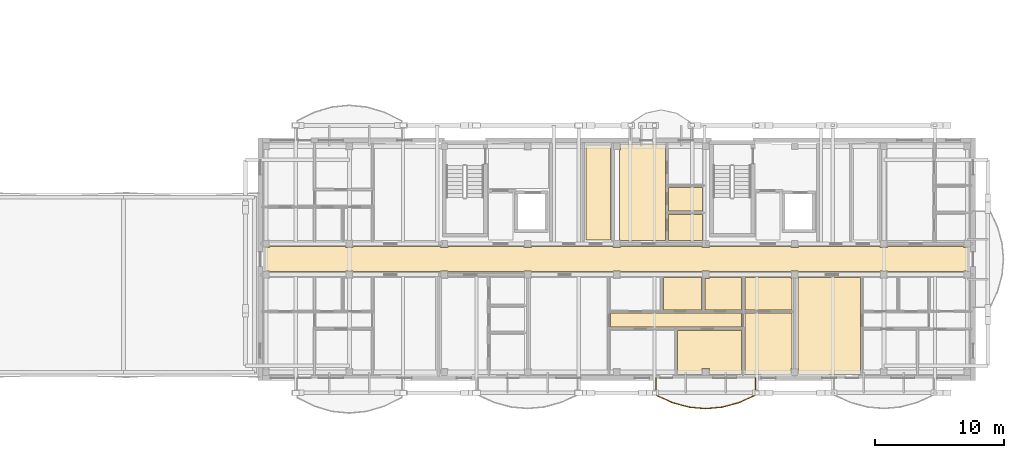
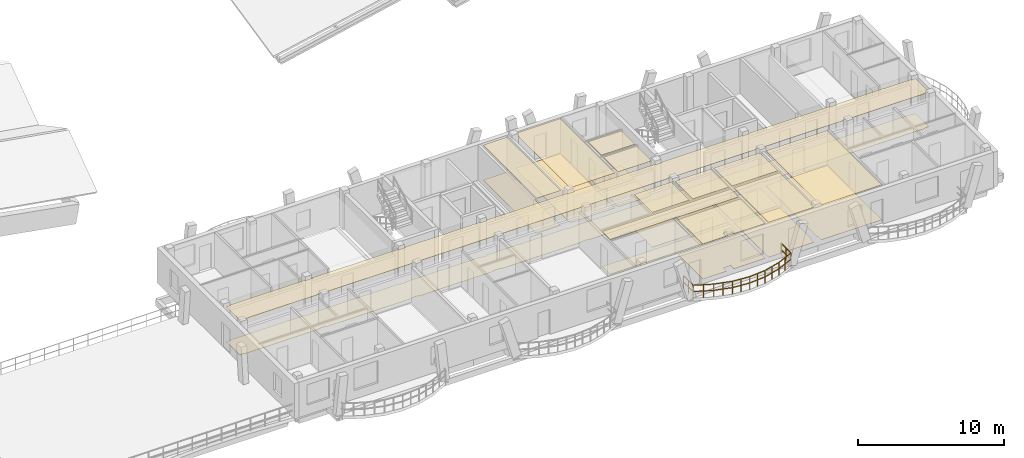
# One storey, part 102 of 109: 24 coverings, 1 railing.
"""IFC4 building model written with IfcOpenShell, lengths in metres."""

from ifc_helpers import new_model, si_unit, direction, frame, origin, origin_2d, place, context, subcontext, project, spatial, polyline, rectangle, outline, extrude, material, layer, layer_set, type_object, element, save


model = new_model("IFC4")

# Units and contexts
model_context = context("Model", 3, precision=1e-05, world=origin(), true_north=direction((0.0, 1.0)))
body_context = subcontext(model_context, "Body", "Model", "MODEL_VIEW")
ifc_project = project(units=[si_unit("LENGTHUNIT", "METRE"), si_unit("AREAUNIT", "SQUARE_METRE"), si_unit("VOLUMEUNIT", "CUBIC_METRE"), si_unit("PLANEANGLEUNIT", "RADIAN"), si_unit("MASSUNIT", "GRAM", prefix="KILO")], contexts=[model_context])

# Site, building, storey
site_placement = place(None, origin())
site = spatial("IfcSite", under=ifc_project, at=site_placement, CompositionType="ELEMENT")
building_placement = place(site_placement, origin())
building = spatial("IfcBuilding", under=site, at=building_placement, Name="Zavelmont Quarter", CompositionType="ELEMENT")
storey_placement = place(building_placement, frame((0.0, 0.0, 8.0)))
storey = spatial("IfcBuildingStorey", under=building, at=storey_placement, Name="L02", CompositionType="ELEMENT", Elevation=8.0)

# Coverings
ifc_material_1 = material(Name="Perforated acoustic gypsum board")
ifc_layer_1 = layer(ifc_material_1, 0.02490234375)
ifc_layer_set_1 = layer_set([ifc_layer_1], Name="Perforated acoustic gypsum board")
covering_type_1 = type_object("IfcCoveringType", Name="CV-CL01", PredefinedType="CEILING", material=ifc_layer_set_1)
covering_1_placement = place(storey_placement, frame((0.0, 0.0, 2.9150390625)))
element("IfcCovering", 1, at=covering_1_placement, inside=storey, type_object=covering_type_1, Name="L02 Cleaners Store acoustic ceiling", PredefinedType="CEILING", context=body_context, shape_type="SweptSolid", body=[
    extrude(outline(polyline([(138.030029296875, 18.02001953125), (139.919921875, 18.02001953125), (139.919921875, 10.679931640625), (138.030029296875, 10.679931640625), (138.030029296875, 18.02001953125)])), origin(), (0.0, 0.0, 1.0), 0.02490234375),
])
covering_2_placement = place(storey_placement, frame((0.0, 0.0, 2.9150390625)))
element("IfcCovering", 2, at=covering_2_placement, inside=storey, type_object=covering_type_1, Name="L02 Residential Corridor acoustic ceiling", PredefinedType="CEILING", context=body_context, shape_type="SweptSolid", body=[
    extrude(outline(polyline([(113.179931640625, 10.110107421875), (113.530029296875, 10.110107421875), (113.530029296875, 10.169921875), (119.409912109375, 10.169921875), (119.409912109375, 10.110107421875), (119.989990234375, 10.110107421875), (119.989990234375, 10.169921875), (126.75, 10.169921875), (126.75, 10.110107421875), (127.330078125, 10.110107421875), (127.330078125, 10.169921875), (133.2099609375, 10.169921875), (133.2099609375, 10.110107421875), (133.7900390625, 10.110107421875), (133.7900390625, 10.169921875), (140.110107421875, 10.169921875), (140.110107421875, 10.110107421875), (140.68994140625, 10.110107421875), (140.68994140625, 10.169921875), (147.010009765625, 10.169921875), (147.010009765625, 10.110107421875), (147.590087890625, 10.110107421875), (147.590087890625, 10.169921875), (153.909912109375, 10.169921875), (153.909912109375, 10.110107421875), (154.489990234375, 10.110107421875), (154.489990234375, 10.169921875), (160.81005859375, 10.169921875), (160.81005859375, 10.110107421875), (161.389892578125, 10.110107421875), (161.389892578125, 10.169921875), (167.27001953125, 10.169921875), (167.27001953125, 10.110107421875), (167.6201171875, 10.110107421875), (167.6201171875, 8.2900390625), (167.27001953125, 8.2900390625), (167.27001953125, 8.22998046875), (161.389892578125, 8.22998046875), (161.389892578125, 8.2900390625), (160.81005859375, 8.2900390625), (160.81005859375, 8.22998046875), (154.489990234375, 8.22998046875), (154.489990234375, 8.2900390625), (153.909912109375, 8.2900390625), (153.909912109375, 8.22998046875), (147.590087890625, 8.22998046875), (147.590087890625, 8.2900390625), (147.010009765625, 8.2900390625), (147.010009765625, 8.22998046875), (140.68994140625, 8.22998046875), (140.68994140625, 8.2900390625), (140.110107421875, 8.2900390625), (140.110107421875, 8.22998046875), (133.7900390625, 8.22998046875), (133.7900390625, 8.2900390625), (133.2099609375, 8.2900390625), (133.2099609375, 8.22998046875), (127.330078125, 8.22998046875), (127.330078125, 8.2900390625), (126.75, 8.2900390625), (126.75, 8.22998046875), (119.989990234375, 8.22998046875), (119.989990234375, 8.2900390625), (119.409912109375, 8.2900390625), (119.409912109375, 8.22998046875), (113.530029296875, 8.22998046875), (113.530029296875, 8.2900390625), (113.179931640625, 8.2900390625), (113.179931640625, 10.110107421875)])), origin(), (0.0, 0.0, 1.0), 0.02490234375),
])
covering_3_placement = place(storey_placement, frame((0.0, 0.0, 2.9150390625)))
element("IfcCovering", 3, at=covering_3_placement, inside=storey, type_object=covering_type_1, Name="L02 Utility Laundry acoustic ceiling", PredefinedType="CEILING", context=body_context, shape_type="SweptSolid", body=[
    extrude(outline(polyline([(147.22998046875, 7.7099609375), (147.590087890625, 7.7099609375), (147.590087890625, 7.77001953125), (150.070068359375, 7.77001953125), (150.070068359375, 5.280029296875), (147.22998046875, 5.280029296875), (147.22998046875, 7.7099609375)])), origin(), (0.0, 0.0, 1.0), 0.02490234375),
])
covering_4_placement = place(storey_placement, frame((0.0, 0.0, 2.9150390625)))
element("IfcCovering", 4, at=covering_4_placement, inside=storey, type_object=covering_type_1, Name="L02 Double Bedroom acoustic ceiling", PredefinedType="CEILING", context=body_context, shape_type="SweptSolid", body=[
    extrude(outline(polyline([(145.1298828125, 3.669921875), (150.070068359375, 3.669921875), (150.070068359375, 0.280029296875), (147.590087890625, 0.280029296875), (147.590087890625, 0.72998046875), (147.010009765625, 0.72998046875), (147.010009765625, 0.280029296875), (145.1298828125, 0.280029296875), (145.1298828125, 3.669921875)])), origin(), (0.0, 0.0, 1.0), 0.02490234375),
])
covering_5_placement = place(storey_placement, frame((0.0, 0.0, 2.9150390625)))
element("IfcCovering", 5, at=covering_5_placement, inside=storey, type_object=covering_type_1, Name="L02 Master Bedroom acoustic ceiling", PredefinedType="CEILING", context=body_context, shape_type="SweptSolid", body=[
    extrude(outline(polyline([(150.330078125, 5.02001953125), (153.969970703125, 5.02001953125), (153.969970703125, 0.72998046875), (153.909912109375, 0.72998046875), (153.909912109375, 0.280029296875), (150.330078125, 0.280029296875), (150.330078125, 5.02001953125)])), origin(), (0.0, 0.0, 1.0), 0.02490234375),
])
covering_6_placement = place(storey_placement, frame((0.0, 0.0, 2.9150390625)))
element("IfcCovering", 6, at=covering_6_placement, inside=storey, type_object=covering_type_1, Name="L02 Living Dining acoustic ceiling", PredefinedType="CEILING", context=body_context, shape_type="SweptSolid", body=[
    extrude(outline(polyline([(154.429931640625, 7.7099609375), (154.489990234375, 7.7099609375), (154.489990234375, 7.77001953125), (159.27001953125, 7.77001953125), (159.27001953125, 0.280029296875), (154.489990234375, 0.280029296875), (154.489990234375, 0.72998046875), (154.429931640625, 0.72998046875), (154.429931640625, 7.7099609375)])), origin(), (0.0, 0.0, 1.0), 0.02490234375),
])
covering_7_placement = place(storey_placement, frame((0.0, 0.0, 2.9150390625)))
element("IfcCovering", 7, at=covering_7_placement, inside=storey, type_object=covering_type_1, Name="L02 Living Dining acoustic ceiling", PredefinedType="CEILING", context=body_context, shape_type="SweptSolid", body=[
    extrude(outline(polyline([(140.6298828125, 17.669921875), (140.68994140625, 17.669921875), (140.68994140625, 18.1201171875), (144.169921875, 18.1201171875), (144.169921875, 10.6298828125), (140.68994140625, 10.6298828125), (140.68994140625, 10.68994140625), (140.6298828125, 10.68994140625), (140.6298828125, 17.669921875)])), origin(), (0.0, 0.0, 1.0), 0.02490234375),
])
covering_8_placement = place(storey_placement, frame((0.0, 0.0, 2.9150390625)))
element("IfcCovering", 8, at=covering_8_placement, inside=storey, type_object=covering_type_1, Name="L02 Kitchen acoustic ceiling", PredefinedType="CEILING", context=body_context, shape_type="SweptSolid", body=[
    extrude(outline(polyline([(144.429931640625, 12.669921875), (147.070068359375, 12.669921875), (147.070068359375, 10.68994140625), (147.010009765625, 10.68994140625), (147.010009765625, 10.6298828125), (144.429931640625, 10.6298828125), (144.429931640625, 12.669921875)])), origin(), (0.0, 0.0, 1.0), 0.02490234375),
])
ifc_material_2 = material(Name="Slatted European ash acoustic baffle ceiling")
ifc_layer_2 = layer(ifc_material_2, 0.0400390625)
ifc_layer_set_2 = layer_set([ifc_layer_2], Name="Slatted European ash acoustic baffle ceiling")
covering_type_2 = type_object("IfcCoveringType", Name="CV-CL02", PredefinedType="CEILING", material=ifc_layer_set_2)
covering_9_placement = place(storey_placement, frame((0.0, 0.0, 2.89990234375)))
element("IfcCovering", 9, at=covering_9_placement, inside=storey, type_object=covering_type_2, Name="L02 Apartment Hall acoustic ceiling", PredefinedType="CEILING", context=body_context, shape_type="SweptSolid", body=[
    extrude(outline(polyline([(139.929931640625, 5.02001953125), (150.070068359375, 5.02001953125), (150.070068359375, 3.929931640625), (139.929931640625, 3.929931640625), (139.929931640625, 5.02001953125)])), origin(), (0.0, 0.0, 1.0), 0.0400390625),
])
ifc_material_3 = material(Name="Moisture-resistant painted gypsum ceiling")
ifc_layer_3 = layer(ifc_material_3, 0.02001953125)
ifc_layer_set_3 = layer_set([ifc_layer_3], Name="Moisture-resistant painted gypsum ceiling")
covering_type_3 = type_object("IfcCoveringType", Name="CV-CL04", PredefinedType="CEILING", material=ifc_layer_set_3)
covering_10_placement = place(storey_placement, frame((0.0, 0.0, 2.919921875)))
element("IfcCovering", 10, at=covering_10_placement, inside=storey, type_object=covering_type_3, Name="L02 Bathroom acoustic ceiling", PredefinedType="CEILING", context=body_context, shape_type="SweptSolid", body=[
    extrude(outline(polyline([(144.030029296875, 7.77001953125), (146.969970703125, 7.77001953125), (146.969970703125, 5.280029296875), (144.030029296875, 5.280029296875), (144.030029296875, 7.77001953125)])), origin(), (0.0, 0.0, 1.0), 0.02001953125),
])
covering_11_placement = place(storey_placement, frame((0.0, 0.0, 2.919921875)))
element("IfcCovering", 11, at=covering_11_placement, inside=storey, type_object=covering_type_3, Name="L02 Bathroom acoustic ceiling", PredefinedType="CEILING", context=body_context, shape_type="SweptSolid", body=[
    extrude(outline(polyline([(150.330078125, 7.77001953125), (153.909912109375, 7.77001953125), (153.909912109375, 7.7099609375), (153.969970703125, 7.7099609375), (153.969970703125, 5.280029296875), (150.330078125, 5.280029296875), (150.330078125, 7.77001953125)])), origin(), (0.0, 0.0, 1.0), 0.02001953125),
])
covering_12_placement = place(storey_placement, frame((0.0, 0.0, 2.919921875)))
element("IfcCovering", 12, at=covering_12_placement, inside=storey, type_object=covering_type_3, Name="L02 Bathroom acoustic ceiling", PredefinedType="CEILING", context=body_context, shape_type="SweptSolid", body=[
    extrude(outline(polyline([(144.429931640625, 14.77001953125), (147.070068359375, 14.77001953125), (147.070068359375, 12.929931640625), (144.429931640625, 12.929931640625), (144.429931640625, 14.77001953125)])), origin(), (0.0, 0.0, 1.0), 0.02001953125),
])
ifc_material_4 = material(Name="Engineered European oak parquet")
ifc_layer_4 = layer(ifc_material_4, 0.02197265625)
ifc_layer_set_4 = layer_set([ifc_layer_4], Name="Engineered European oak parquet")
covering_type_4 = type_object("IfcCoveringType", Name="CV-FL01", PredefinedType="FLOORING", material=ifc_layer_set_4)
covering_13_placement = place(storey_placement, origin())
element("IfcCovering", 13, at=covering_13_placement, inside=storey, type_object=covering_type_4, Name="L02 Cleaners Store floor finish", PredefinedType="FLOORING", context=body_context, shape_type="SweptSolid", body=[
    extrude(outline(polyline([(138.030029296875, 18.02001953125), (139.919921875, 18.02001953125), (139.919921875, 10.679931640625), (138.030029296875, 10.679931640625), (138.030029296875, 18.02001953125)])), origin(), (0.0, 0.0, 1.0), 0.02197265625),
])
covering_14_placement = place(storey_placement, origin())
element("IfcCovering", 14, at=covering_14_placement, inside=storey, type_object=covering_type_4, Name="L02 Residential Corridor floor finish", PredefinedType="FLOORING", context=body_context, shape_type="SweptSolid", body=[
    extrude(outline(polyline([(113.179931640625, 10.110107421875), (113.530029296875, 10.110107421875), (113.530029296875, 10.169921875), (119.409912109375, 10.169921875), (119.409912109375, 10.110107421875), (119.989990234375, 10.110107421875), (119.989990234375, 10.169921875), (126.75, 10.169921875), (126.75, 10.110107421875), (127.330078125, 10.110107421875), (127.330078125, 10.169921875), (133.2099609375, 10.169921875), (133.2099609375, 10.110107421875), (133.7900390625, 10.110107421875), (133.7900390625, 10.169921875), (140.110107421875, 10.169921875), (140.110107421875, 10.110107421875), (140.68994140625, 10.110107421875), (140.68994140625, 10.169921875), (147.010009765625, 10.169921875), (147.010009765625, 10.110107421875), (147.590087890625, 10.110107421875), (147.590087890625, 10.169921875), (153.909912109375, 10.169921875), (153.909912109375, 10.110107421875), (154.489990234375, 10.110107421875), (154.489990234375, 10.169921875), (160.81005859375, 10.169921875), (160.81005859375, 10.110107421875), (161.389892578125, 10.110107421875), (161.389892578125, 10.169921875), (167.27001953125, 10.169921875), (167.27001953125, 10.110107421875), (167.6201171875, 10.110107421875), (167.6201171875, 8.2900390625), (167.27001953125, 8.2900390625), (167.27001953125, 8.22998046875), (161.389892578125, 8.22998046875), (161.389892578125, 8.2900390625), (160.81005859375, 8.2900390625), (160.81005859375, 8.22998046875), (154.489990234375, 8.22998046875), (154.489990234375, 8.2900390625), (153.909912109375, 8.2900390625), (153.909912109375, 8.22998046875), (147.590087890625, 8.22998046875), (147.590087890625, 8.2900390625), (147.010009765625, 8.2900390625), (147.010009765625, 8.22998046875), (140.68994140625, 8.22998046875), (140.68994140625, 8.2900390625), (140.110107421875, 8.2900390625), (140.110107421875, 8.22998046875), (133.7900390625, 8.22998046875), (133.7900390625, 8.2900390625), (133.2099609375, 8.2900390625), (133.2099609375, 8.22998046875), (127.330078125, 8.22998046875), (127.330078125, 8.2900390625), (126.75, 8.2900390625), (126.75, 8.22998046875), (119.989990234375, 8.22998046875), (119.989990234375, 8.2900390625), (119.409912109375, 8.2900390625), (119.409912109375, 8.22998046875), (113.530029296875, 8.22998046875), (113.530029296875, 8.2900390625), (113.179931640625, 8.2900390625), (113.179931640625, 10.110107421875)])), origin(), (0.0, 0.0, 1.0), 0.02197265625),
])
covering_15_placement = place(storey_placement, origin())
element("IfcCovering", 15, at=covering_15_placement, inside=storey, type_object=covering_type_4, Name="L02 Utility Laundry floor finish", PredefinedType="FLOORING", context=body_context, shape_type="SweptSolid", body=[
    extrude(outline(polyline([(147.22998046875, 7.7099609375), (147.590087890625, 7.7099609375), (147.590087890625, 7.77001953125), (150.070068359375, 7.77001953125), (150.070068359375, 5.280029296875), (147.22998046875, 5.280029296875), (147.22998046875, 7.7099609375)])), origin(), (0.0, 0.0, 1.0), 0.02197265625),
])
covering_16_placement = place(storey_placement, origin())
element("IfcCovering", 16, at=covering_16_placement, inside=storey, type_object=covering_type_4, Name="L02 Double Bedroom floor finish", PredefinedType="FLOORING", context=body_context, shape_type="SweptSolid", body=[
    extrude(outline(polyline([(145.1298828125, 3.669921875), (150.070068359375, 3.669921875), (150.070068359375, 0.280029296875), (147.590087890625, 0.280029296875), (147.590087890625, 0.72998046875), (147.010009765625, 0.72998046875), (147.010009765625, 0.280029296875), (145.1298828125, 0.280029296875), (145.1298828125, 3.669921875)])), origin(), (0.0, 0.0, 1.0), 0.02197265625),
])
covering_17_placement = place(storey_placement, origin())
element("IfcCovering", 17, at=covering_17_placement, inside=storey, type_object=covering_type_4, Name="L02 Master Bedroom floor finish", PredefinedType="FLOORING", context=body_context, shape_type="SweptSolid", body=[
    extrude(outline(polyline([(150.330078125, 5.02001953125), (153.969970703125, 5.02001953125), (153.969970703125, 0.72998046875), (153.909912109375, 0.72998046875), (153.909912109375, 0.280029296875), (150.330078125, 0.280029296875), (150.330078125, 5.02001953125)])), origin(), (0.0, 0.0, 1.0), 0.02197265625),
])
covering_18_placement = place(storey_placement, origin())
element("IfcCovering", 18, at=covering_18_placement, inside=storey, type_object=covering_type_4, Name="L02 Living Dining floor finish", PredefinedType="FLOORING", context=body_context, shape_type="SweptSolid", body=[
    extrude(outline(polyline([(154.429931640625, 7.7099609375), (154.489990234375, 7.7099609375), (154.489990234375, 7.77001953125), (159.27001953125, 7.77001953125), (159.27001953125, 0.280029296875), (154.489990234375, 0.280029296875), (154.489990234375, 0.72998046875), (154.429931640625, 0.72998046875), (154.429931640625, 7.7099609375)])), origin(), (0.0, 0.0, 1.0), 0.02197265625),
])
covering_19_placement = place(storey_placement, origin())
element("IfcCovering", 19, at=covering_19_placement, inside=storey, type_object=covering_type_4, Name="L02 Living Dining floor finish", PredefinedType="FLOORING", context=body_context, shape_type="SweptSolid", body=[
    extrude(outline(polyline([(140.6298828125, 17.669921875), (140.68994140625, 17.669921875), (140.68994140625, 18.1201171875), (144.169921875, 18.1201171875), (144.169921875, 10.6298828125), (140.68994140625, 10.6298828125), (140.68994140625, 10.68994140625), (140.6298828125, 10.68994140625), (140.6298828125, 17.669921875)])), origin(), (0.0, 0.0, 1.0), 0.02197265625),
])
covering_20_placement = place(storey_placement, origin())
element("IfcCovering", 20, at=covering_20_placement, inside=storey, type_object=covering_type_4, Name="L02 Kitchen floor finish", PredefinedType="FLOORING", context=body_context, shape_type="SweptSolid", body=[
    extrude(outline(polyline([(144.429931640625, 12.669921875), (147.070068359375, 12.669921875), (147.070068359375, 10.68994140625), (147.010009765625, 10.68994140625), (147.010009765625, 10.6298828125), (144.429931640625, 10.6298828125), (144.429931640625, 12.669921875)])), origin(), (0.0, 0.0, 1.0), 0.02197265625),
])
ifc_material_5 = material(Name="Honed Belgian bluestone tile", Category="masonry")
ifc_layer_5 = layer(ifc_material_5, 0.030029296875)
ifc_layer_set_5 = layer_set([ifc_layer_5], Name="Honed Belgian bluestone tile")
covering_type_5 = type_object("IfcCoveringType", Name="CV-FL02", PredefinedType="FLOORING", material=ifc_layer_set_5)
covering_21_placement = place(storey_placement, origin())
element("IfcCovering", 21, at=covering_21_placement, inside=storey, type_object=covering_type_5, Name="L02 Apartment Hall floor finish", PredefinedType="FLOORING", context=body_context, shape_type="SweptSolid", body=[
    extrude(outline(polyline([(139.929931640625, 5.02001953125), (150.070068359375, 5.02001953125), (150.070068359375, 3.929931640625), (139.929931640625, 3.929931640625), (139.929931640625, 5.02001953125)])), origin(), (0.0, 0.0, 1.0), 0.030029296875),
])
ifc_material_6 = material(Name="Slip-resistant porcelain tile")
ifc_layer_6 = layer(ifc_material_6, 0.02587890625)
ifc_layer_set_6 = layer_set([ifc_layer_6], Name="Slip-resistant porcelain tile")
covering_type_6 = type_object("IfcCoveringType", Name="CV-FL04", PredefinedType="FLOORING", material=ifc_layer_set_6)
covering_22_placement = place(storey_placement, origin())
element("IfcCovering", 22, at=covering_22_placement, inside=storey, type_object=covering_type_6, Name="L02 Bathroom floor finish", PredefinedType="FLOORING", context=body_context, shape_type="SweptSolid", body=[
    extrude(outline(polyline([(144.030029296875, 7.77001953125), (146.969970703125, 7.77001953125), (146.969970703125, 5.280029296875), (144.030029296875, 5.280029296875), (144.030029296875, 7.77001953125)])), origin(), (0.0, 0.0, 1.0), 0.02587890625),
])
covering_23_placement = place(storey_placement, origin())
element("IfcCovering", 23, at=covering_23_placement, inside=storey, type_object=covering_type_6, Name="L02 Bathroom floor finish", PredefinedType="FLOORING", context=body_context, shape_type="SweptSolid", body=[
    extrude(outline(polyline([(150.330078125, 7.77001953125), (153.909912109375, 7.77001953125), (153.909912109375, 7.7099609375), (153.969970703125, 7.7099609375), (153.969970703125, 5.280029296875), (150.330078125, 5.280029296875), (150.330078125, 7.77001953125)])), origin(), (0.0, 0.0, 1.0), 0.02587890625),
])
covering_24_placement = place(storey_placement, origin())
element("IfcCovering", 24, at=covering_24_placement, inside=storey, type_object=covering_type_6, Name="L02 Bathroom floor finish", PredefinedType="FLOORING", context=body_context, shape_type="SweptSolid", body=[
    extrude(outline(polyline([(144.429931640625, 14.77001953125), (147.070068359375, 14.77001953125), (147.070068359375, 12.929931640625), (144.429931640625, 12.929931640625), (144.429931640625, 14.77001953125)])), origin(), (0.0, 0.0, 1.0), 0.02587890625),
])

# Railing
ifc_material_7 = material(Name="Powder-coated steel and tempered double safety glass", Category="steel")
railing_type = type_object("IfcRailingType", Name="RL-BAL1", PredefinedType="BALUSTRADE", material=ifc_material_7)
railing_placement = place(storey_placement, frame((143.44140625, -0.02001953125, 0.0)))
element("IfcRailing", 25, at=railing_placement, inside=storey, type_object=railing_type, Name="L02 Block D curved balcony guard RL-BAL1", PredefinedType="BALUSTRADE", context=body_context, shape_type="SweptSolid", body=[
    extrude(rectangle(XDim=0.048095703125, YDim=0.048095703125, at=origin_2d()), frame((0.0, 0.0, 1.076171875), z_axis=(0.0, -1.0, 0.0), x_axis=(1.0, 0.0, 0.0)), (0.0, 0.0, 1.0), 1.312744140625),
    extrude(rectangle(XDim=0.048095703125, YDim=0.048095703125, at=origin_2d()), frame((0.0, 0.0, 0.550048828125), z_axis=(0.0, -1.0, 0.0), x_axis=(1.0, 0.0, 0.0)), (0.0, 0.0, 1.0), 1.312744140625),
    extrude(rectangle(XDim=0.048095703125, YDim=0.048095703125, at=origin_2d()), frame((0.0, -1.312744140625, 1.076171875), z_axis=(0.911146572857, -0.412082422304, 0.0), x_axis=(0.412082422304, 0.911146572857, 0.0)), (0.0, 0.0, 1.0), 1.411865234375),
    extrude(rectangle(XDim=0.048095703125, YDim=0.048095703125, at=origin_2d()), frame((0.0, -1.312744140625, 0.550048828125), z_axis=(0.911146572857, -0.412082422304, 0.0), x_axis=(0.412082422304, 0.911146572857, 0.0)), (0.0, 0.0, 1.0), 1.411865234375),
    extrude(rectangle(XDim=0.048095703125, YDim=0.048095703125, at=origin_2d()), frame((1.286376953125, -1.89453125, 1.076171875), z_axis=(0.965075981526, -0.261970131659, 0.0), x_axis=(0.261970131659, 0.965075981526, 0.0)), (0.0, 0.0, 1.0), 1.332763671875),
    extrude(rectangle(XDim=0.048095703125, YDim=0.048095703125, at=origin_2d()), frame((1.286376953125, -1.89453125, 0.550048828125), z_axis=(0.965075981526, -0.261970131659, 0.0), x_axis=(0.261970131659, 0.965075981526, 0.0)), (0.0, 0.0, 1.0), 1.332763671875),
    extrude(rectangle(XDim=0.048095703125, YDim=0.048095703125, at=origin_2d()), frame((2.572509765625, -2.24365234375, 1.076171875), z_axis=(0.995942645327, -0.089990261803, 0.0), x_axis=(0.089990261803, 0.995942645327, 0.0)), (0.0, 0.0, 1.0), 1.291259765625),
    extrude(rectangle(XDim=0.048095703125, YDim=0.048095703125, at=origin_2d()), frame((2.572509765625, -2.24365234375, 0.550048828125), z_axis=(0.995942645327, -0.089990261803, 0.0), x_axis=(0.089990261803, 0.995942645327, 0.0)), (0.0, 0.0, 1.0), 1.291259765625),
    extrude(rectangle(XDim=0.048095703125, YDim=0.048095703125, at=origin_2d()), frame((3.858642578125, -2.35986328125, 1.076171875), z_axis=(0.995942645327, 0.089990261803, 0.0), x_axis=(-0.089990261803, 0.995942645327, 0.0)), (0.0, 0.0, 1.0), 1.291259765625),
    extrude(rectangle(XDim=0.048095703125, YDim=0.048095703125, at=origin_2d()), frame((3.858642578125, -2.35986328125, 0.550048828125), z_axis=(0.995942645327, 0.089990261803, 0.0), x_axis=(-0.089990261803, 0.995942645327, 0.0)), (0.0, 0.0, 1.0), 1.291259765625),
    extrude(rectangle(XDim=0.048095703125, YDim=0.048095703125, at=origin_2d()), frame((5.144775390625, -2.24365234375, 1.076171875), z_axis=(0.965075981526, 0.261970131659, 0.0), x_axis=(-0.261970131659, 0.965075981526, 0.0)), (0.0, 0.0, 1.0), 1.332763671875),
    extrude(rectangle(XDim=0.048095703125, YDim=0.048095703125, at=origin_2d()), frame((5.144775390625, -2.24365234375, 0.550048828125), z_axis=(0.965075981526, 0.261970131659, 0.0), x_axis=(-0.261970131659, 0.965075981526, 0.0)), (0.0, 0.0, 1.0), 1.332763671875),
    extrude(rectangle(XDim=0.048095703125, YDim=0.048095703125, at=origin_2d()), frame((6.430908203125, -1.89453125, 1.076171875), z_axis=(0.911117201035, 0.412147359542, 0.0), x_axis=(-0.412147359542, 0.911117201035, 0.0)), (0.0, 0.0, 1.0), 1.41162109375),
    extrude(rectangle(XDim=0.048095703125, YDim=0.048095703125, at=origin_2d()), frame((6.430908203125, -1.89453125, 0.550048828125), z_axis=(0.911117201035, 0.412147359542, 0.0), x_axis=(-0.412147359542, 0.911117201035, 0.0)), (0.0, 0.0, 1.0), 1.41162109375),
    extrude(rectangle(XDim=0.048095703125, YDim=0.048095703125, at=origin_2d()), frame((7.717041015625, -1.312744140625, 1.076171875), z_axis=(0.0, 1.0, 0.0), x_axis=(-1.0, 0.0, 0.0)), (0.0, 0.0, 1.0), 1.312744140625),
    extrude(rectangle(XDim=0.048095703125, YDim=0.048095703125, at=origin_2d()), frame((7.717041015625, -1.312744140625, 0.550048828125), z_axis=(0.0, 1.0, 0.0), x_axis=(-1.0, 0.0, 0.0)), (0.0, 0.0, 1.0), 1.312744140625),
    extrude(rectangle(XDim=0.0419921875, YDim=0.0419921875, at=origin_2d()), origin(), (0.0, 0.0, 1.0), 1.052001953125),
    extrude(rectangle(XDim=0.0419921875, YDim=0.0419921875, at=origin_2d()), frame((0.0, -0.65625, 0.0)), (0.0, 0.0, 1.0), 1.052001953125),
    extrude(rectangle(XDim=0.0419921875, YDim=0.0419921875, at=origin_2d()), frame((0.0, -1.312744140625, 0.0)), (0.0, 0.0, 1.0), 1.052001953125),
    extrude(rectangle(XDim=0.0419921875, YDim=0.0419921875, at=origin_2d()), frame((0.64306640625, -1.603515625, 0.0)), (0.0, 0.0, 1.0), 1.052001953125),
    extrude(rectangle(XDim=0.0419921875, YDim=0.0419921875, at=origin_2d()), frame((1.286376953125, -1.89453125, 0.0)), (0.0, 0.0, 1.0), 1.052001953125),
    extrude(rectangle(XDim=0.0419921875, YDim=0.0419921875, at=origin_2d()), frame((1.929443359375, -2.069091796875, 0.0)), (0.0, 0.0, 1.0), 1.052001953125),
    extrude(rectangle(XDim=0.0419921875, YDim=0.0419921875, at=origin_2d()), frame((2.572509765625, -2.24365234375, 0.0)), (0.0, 0.0, 1.0), 1.052001953125),
    extrude(rectangle(XDim=0.0419921875, YDim=0.0419921875, at=origin_2d()), frame((3.215576171875, -2.3017578125, 0.0)), (0.0, 0.0, 1.0), 1.052001953125),
    extrude(rectangle(XDim=0.0419921875, YDim=0.0419921875, at=origin_2d()), frame((3.858642578125, -2.35986328125, 0.0)), (0.0, 0.0, 1.0), 1.052001953125),
    extrude(rectangle(XDim=0.0419921875, YDim=0.0419921875, at=origin_2d()), frame((4.501708984375, -2.3017578125, 0.0)), (0.0, 0.0, 1.0), 1.052001953125),
    extrude(rectangle(XDim=0.0419921875, YDim=0.0419921875, at=origin_2d()), frame((5.144775390625, -2.24365234375, 0.0)), (0.0, 0.0, 1.0), 1.052001953125),
    extrude(rectangle(XDim=0.0419921875, YDim=0.0419921875, at=origin_2d()), frame((5.787841796875, -2.069091796875, 0.0)), (0.0, 0.0, 1.0), 1.052001953125),
    extrude(rectangle(XDim=0.0419921875, YDim=0.0419921875, at=origin_2d()), frame((6.430908203125, -1.89453125, 0.0)), (0.0, 0.0, 1.0), 1.052001953125),
    extrude(rectangle(XDim=0.0419921875, YDim=0.0419921875, at=origin_2d()), frame((7.073974609375, -1.603515625, 0.0)), (0.0, 0.0, 1.0), 1.052001953125),
    extrude(rectangle(XDim=0.0419921875, YDim=0.0419921875, at=origin_2d()), frame((7.717041015625, -1.312744140625, 0.0)), (0.0, 0.0, 1.0), 1.052001953125),
    extrude(rectangle(XDim=0.0419921875, YDim=0.0419921875, at=origin_2d()), frame((7.717041015625, -0.65625, 0.0)), (0.0, 0.0, 1.0), 1.052001953125),
    extrude(rectangle(XDim=0.0419921875, YDim=0.0419921875, at=origin_2d()), frame((7.717041015625, 0.0, 0.0)), (0.0, 0.0, 1.0), 1.052001953125),
])

save(model, "model.ifc")
